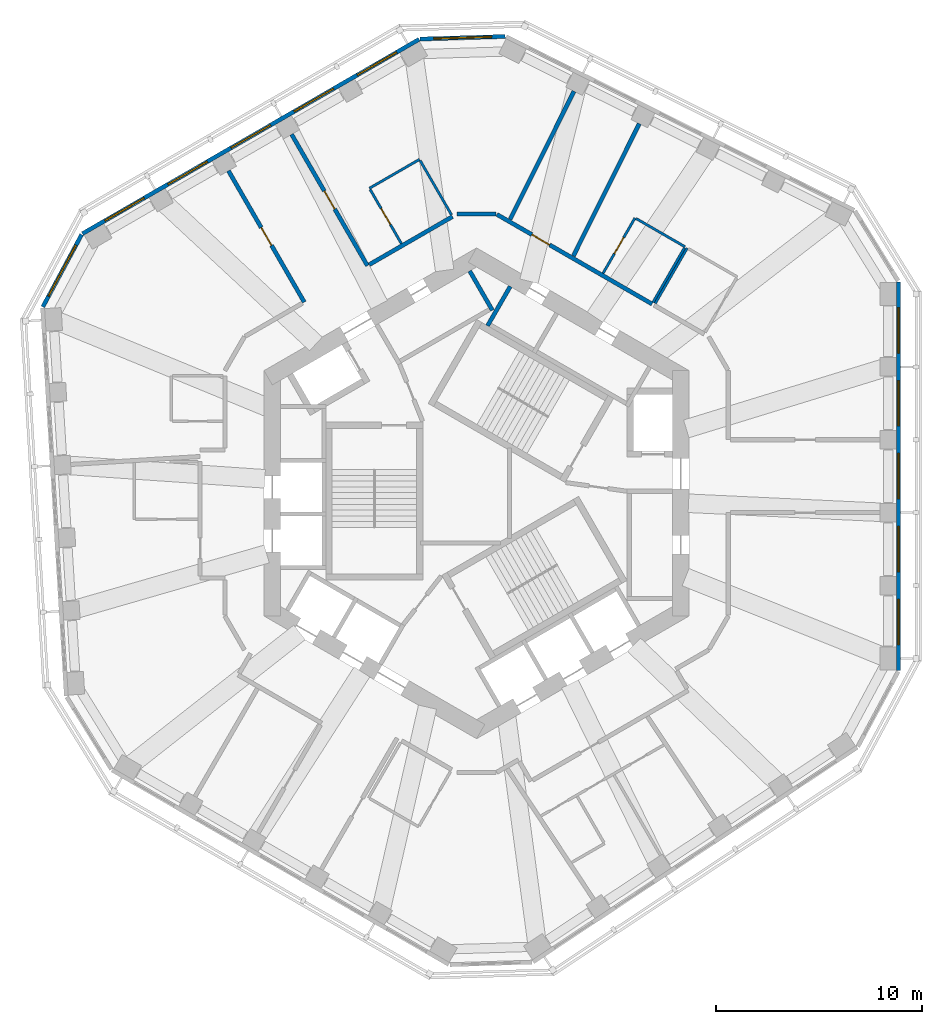
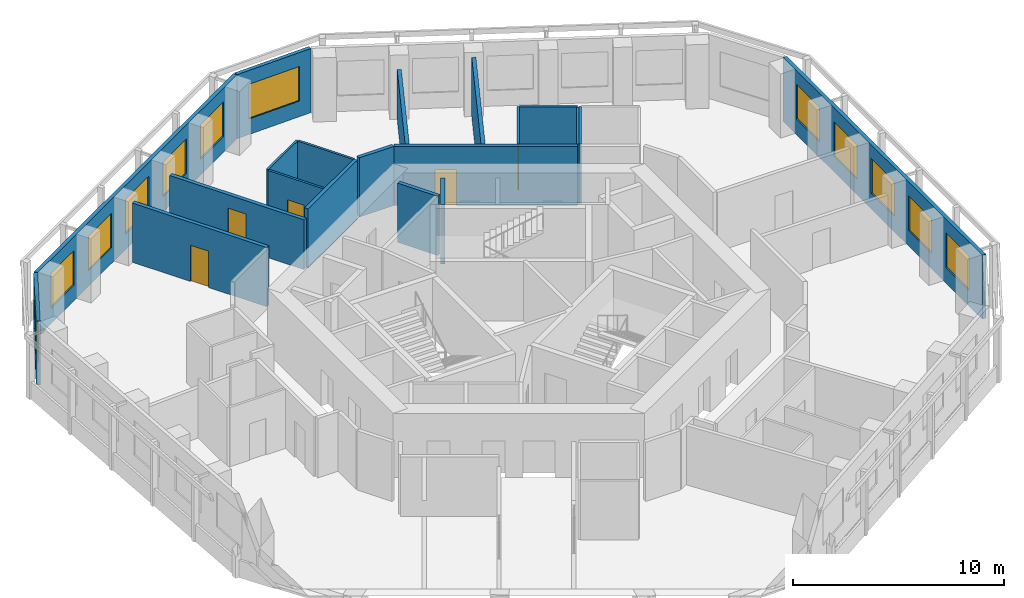
# One storey, part 7 of 11: 20 walls, 12 windows, 5 doors, 17 openings.
"""IFC4 building model written with IfcOpenShell, lengths in metres."""

from ifc_helpers import new_model, si_unit, direction, frame, frame_2d, origin, place, context, subcontext, project, spatial, rectangle, extrude, material, layer, layer_set, type_object, element, fill, save


model = new_model("IFC4")

# Units and contexts
model_context = context("Model", 3, precision=1e-05, world=origin(), true_north=direction((0.0, 1.0)))
body_context = subcontext(model_context, "Body", "Model", "MODEL_VIEW")
ifc_project = project(units=[si_unit("LENGTHUNIT", "METRE"), si_unit("AREAUNIT", "SQUARE_METRE"), si_unit("VOLUMEUNIT", "CUBIC_METRE"), si_unit("PLANEANGLEUNIT", "RADIAN"), si_unit("MASSUNIT", "GRAM", prefix="KILO")], contexts=[model_context])

# Site, building, storey
site_placement = place(None, origin())
site = spatial("IfcSite", under=ifc_project, at=site_placement, CompositionType="ELEMENT")
building_placement = place(site_placement, origin())
building = spatial("IfcBuilding", under=site, at=building_placement, Name="Vanh Sen Convention Tower", CompositionType="ELEMENT")
storey_placement = place(building_placement, frame((0.0, 0.0, 229.10009765625)))
storey = spatial("IfcBuildingStorey", under=building, at=storey_placement, Name="L56", CompositionType="ELEMENT", Elevation=229.10009765625)

# Wall
ifc_material_1 = material(Name="Moisture-resistant gypsum board on steel studs", Category="steel")
ifc_layer_1 = layer(ifc_material_1, 0.1201171875)
ifc_layer_set_1 = layer_set([ifc_layer_1], Name="Moisture-resistant gypsum board on steel studs")
wall_type_1 = type_object("IfcWallType", Name="Bathroom partition 120", PredefinedType="PARTITIONING", material=ifc_layer_set_1)
wall_1_placement = place(storey_placement, frame((-5.19140625, 14.78515625, 0.0), z_axis=(0.0, 0.0, 1.0), x_axis=(0.866034573852, 0.49998411664, 0.0)))
element("IfcWall", 1, at=wall_1_placement, inside=storey, type_object=wall_type_1, Name="Bathroom partition 120", PredefinedType="PARTITIONING", context=body_context, shape_type="SweptSolid", body=[
    extrude(rectangle(XDim=2.7998046875, YDim=0.1201171875, at=frame_2d((1.39990234375, 0.0))), origin(), (0.0, 0.0, 1.0), 3.419921875),
])

# Wall, opening, door
wall_2_placement = place(storey_placement, frame((-3.641357421875, 12.1005859375, 0.0), z_axis=(0.0, 0.0, 1.0), x_axis=(-0.500026023896, 0.86601037836, 0.0)))
wall_2 = element("IfcWall", 2, at=wall_2_placement, inside=storey, type_object=wall_type_1, Name="Bathroom partition 120", PredefinedType="PARTITIONING", context=body_context, shape_type="SweptSolid", body=[
    extrude(rectangle(XDim=3.039794921875, YDim=0.1201171875, at=frame_2d((1.52001953125, 0.0))), origin(), (0.0, 0.0, 1.0), 3.419921875),
])
opening_1_placement = place(wall_2_placement, frame((1.06982421875, 0.0, 0.0)))
opening_1 = element("IfcOpeningElement", 3, at=opening_1_placement, cuts=wall_2, Name="Opening D56106", PredefinedType="OPENING", context=body_context, shape_type="SweptSolid", body=[
    extrude(rectangle(XDim=0.89990234375, YDim=2.10009765625, at=frame_2d((0.449951171875, 1.050048828125))), frame((0.0, 0.070068359375, 0.0), z_axis=(0.0, -1.0, 0.0), x_axis=(1.0, 0.0, 0.0)), (0.0, 0.0, 1.0), 0.14013671875),
])
ifc_material_2 = material(Name="Laminate door in steel frame", Category="steel")
door_type_1 = type_object("IfcDoorType", Name="Room internal door 900", OperationType="SINGLE_SWING_LEFT", PredefinedType="DOOR", material=ifc_material_2)
door_1_placement = place(opening_1_placement, origin())
door_1 = element("IfcDoor", 4, at=door_1_placement, inside=storey, type_object=door_type_1, Name="Internal room door D56106", OperationType="SINGLE_SWING_LEFT", OverallHeight=2.10009765625, OverallWidth=0.89990234375, PredefinedType="DOOR", context=body_context, shape_type="SweptSolid", body=[
    extrude(rectangle(XDim=0.89990234375, YDim=2.10009765625, at=frame_2d((0.449951171875, 1.050048828125))), frame((0.0, 0.02490234375, 0.0), z_axis=(0.0, -1.0, 0.0), x_axis=(1.0, 0.0, 0.0)), (0.0, 0.0, 1.0), 0.050048828125),
])
fill(opening_1, door_1)

# Wall
wall_3_placement = place(storey_placement, frame((-2.736572265625, 16.133056640625, 0.0), z_axis=(0.0, 0.0, 1.0), x_axis=(0.500026023896, -0.86601037836, 0.0)))
element("IfcWall", 5, at=wall_3_placement, inside=storey, type_object=wall_type_1, Name="Bathroom partition 120", PredefinedType="PARTITIONING", context=body_context, shape_type="SweptSolid", body=[
    extrude(rectangle(XDim=3.039794921875, YDim=0.1201171875, at=frame_2d((1.52001953125, 0.0))), origin(), (0.0, 0.0, 1.0), 3.419921875),
])

# Wall, opening, door
wall_4_placement = place(storey_placement, frame((6.1298828125, 10.663818359375, 0.0), z_axis=(0.0, 0.0, 1.0), x_axis=(0.499967891604, 0.866043940782, 0.0)))
wall_4 = element("IfcWall", 6, at=wall_4_placement, inside=storey, type_object=wall_type_1, Name="Bathroom partition 120", PredefinedType="PARTITIONING", context=body_context, shape_type="SweptSolid", body=[
    extrude(rectangle(XDim=3.099853515625, YDim=0.1201171875, at=frame_2d((1.5498046875, 0.0))), origin(), (0.0, 0.0, 1.0), 3.419921875),
])
opening_2_placement = place(wall_4_placement, frame((1.10009765625, 0.0, 0.0)))
opening_2 = element("IfcOpeningElement", 7, at=opening_2_placement, cuts=wall_4, Name="Opening D56103", PredefinedType="OPENING", context=body_context, shape_type="SweptSolid", body=[
    extrude(rectangle(XDim=0.89990234375, YDim=2.10009765625, at=frame_2d((0.449951171875, 1.050048828125))), frame((0.0, 0.070068359375, 0.0), z_axis=(0.0, -1.0, 0.0), x_axis=(1.0, 0.0, 0.0)), (0.0, 0.0, 1.0), 0.14013671875),
])
door_2_placement = place(opening_2_placement, origin())
door_2 = element("IfcDoor", 8, at=door_2_placement, inside=storey, type_object=door_type_1, Name="Internal room door D56103", OperationType="SINGLE_SWING_LEFT", OverallHeight=2.10009765625, OverallWidth=0.89990234375, PredefinedType="DOOR", context=body_context, shape_type="SweptSolid", body=[
    extrude(rectangle(XDim=0.89990234375, YDim=2.10009765625, at=frame_2d((0.449951171875, 1.050048828125))), frame((0.0, 0.02490234375, 0.0), z_axis=(0.0, -1.0, 0.0), x_axis=(1.0, 0.0, 0.0)), (0.0, 0.0, 1.0), 0.050048828125),
])
fill(opening_2, door_2)

# Walls
wall_5_placement = place(storey_placement, frame((7.731689453125, 13.318359375, 0.0), z_axis=(0.0, 0.0, 1.0), x_axis=(0.866057988685, -0.499943557049, 0.0)))
element("IfcWall", 9, at=wall_5_placement, inside=storey, type_object=wall_type_1, Name="Bathroom partition 120", PredefinedType="PARTITIONING", context=body_context, shape_type="SweptSolid", body=[
    extrude(rectangle(XDim=2.739990234375, YDim=0.1201171875, at=frame_2d((1.3701171875, 0.0))), origin(), (0.0, 0.0, 1.0), 3.419921875),
])
wall_6_placement = place(storey_placement, frame((8.65869140625, 9.20361328125, 0.0), z_axis=(0.0, 0.0, 1.0), x_axis=(0.499933790963, 0.866063626216, 0.0)))
element("IfcWall", 10, at=wall_6_placement, inside=storey, type_object=wall_type_1, Name="Bathroom partition 120", PredefinedType="PARTITIONING", context=body_context, shape_type="SweptSolid", body=[
    extrude(rectangle(XDim=3.10009765625, YDim=0.1201171875, at=frame_2d((1.550048828125, 0.0))), origin(), (0.0, 0.0, 1.0), 3.419921875),
])
wall_7_placement = place(storey_placement, frame((10.07470703125, 11.896484375, 0.0), z_axis=(0.0, 0.0, 1.0), x_axis=(-0.499991248344, -0.866030456496, 0.0)))
element("IfcWall", 11, at=wall_7_placement, inside=storey, type_object=wall_type_1, Name="Bathroom partition 120", PredefinedType="PARTITIONING", context=body_context, shape_type="SweptSolid", body=[
    extrude(rectangle(XDim=3.0400390625, YDim=0.1201171875, at=frame_2d((1.52001953125, 0.0))), origin(), (0.0, 0.0, 1.0), 3.419921875),
])

# Wall, opening, door
ifc_material_3 = material(Name="Gypsum board on steel studs with mineral wool", Category="steel")
ifc_layer_2 = layer(ifc_material_3, 0.199951171875)
ifc_layer_set_2 = layer_set([ifc_layer_2], Name="Gypsum board on steel studs with mineral wool")
wall_type_2 = type_object("IfcWallType", Name="Corridor partition wall 200", PredefinedType="PARTITIONING", material=ifc_layer_set_2)
wall_8_placement = place(storey_placement, frame((-12.02490234375, 15.6318359375, 0.0), z_axis=(0.0, 0.0, 1.0), x_axis=(0.499983153418, -0.866035129944, 0.0)))
wall_8 = element("IfcWall", 12, at=wall_8_placement, inside=storey, type_object=wall_type_2, Name="Corridor partition wall 200", PredefinedType="PARTITIONING", context=body_context, shape_type="SweptSolid", body=[
    extrude(rectangle(XDim=7.349853515625, YDim=0.199951171875, at=frame_2d((3.6748046875, 0.0))), origin(), (0.0, 0.0, 1.0), 3.419921875),
])
opening_3_placement = place(wall_8_placement, frame((3.175048828125, 0.0, 0.0)))
opening_3 = element("IfcOpeningElement", 13, at=opening_3_placement, cuts=wall_8, Name="Opening D56107", PredefinedType="OPENING", context=body_context, shape_type="SweptSolid", body=[
    extrude(rectangle(XDim=1.0, YDim=2.10009765625, at=frame_2d((0.5, 1.050048828125))), frame((0.0, 0.10986328125, 0.0), z_axis=(0.0, -1.0, 0.0), x_axis=(1.0, 0.0, 0.0)), (0.0, 0.0, 1.0), 0.219970703125),
])
ifc_material_4 = material(Name="Glazed fire door in steel frame", Category="steel")
door_type_2 = type_object("IfcDoorType", Name="Tenant entrance door 1000", OperationType="SINGLE_SWING_LEFT", PredefinedType="DOOR", material=ifc_material_4)
door_3_placement = place(opening_3_placement, origin())
door_3 = element("IfcDoor", 14, at=door_3_placement, inside=storey, type_object=door_type_2, Name="Tenant suite entrance door D56107", OperationType="SINGLE_SWING_LEFT", OverallHeight=2.10009765625, OverallWidth=1.0, PredefinedType="DOOR", context=body_context, shape_type="SweptSolid", body=[
    extrude(rectangle(XDim=1.0, YDim=2.10009765625, at=frame_2d((0.5, 1.050048828125))), frame((0.0, 0.02490234375, 0.0), z_axis=(0.0, -1.0, 0.0), x_axis=(1.0, 0.0, 0.0)), (0.0, 0.0, 1.0), 0.050048828125),
])
fill(opening_3, door_3)

wall_9_placement = place(storey_placement, frame((-8.96484375, 17.398681640625, 0.0), z_axis=(0.0, 0.0, 1.0), x_axis=(0.499993683172, -0.866029050776, 0.0)))
wall_9 = element("IfcWall", 15, at=wall_9_placement, inside=storey, type_object=wall_type_2, Name="Corridor partition wall 200", PredefinedType="PARTITIONING", context=body_context, shape_type="SweptSolid", body=[
    extrude(rectangle(XDim=7.35009765625, YDim=0.199951171875, at=frame_2d((3.675048828125, 0.0))), origin(), (0.0, 0.0, 1.0), 2.869873046875),
])
opening_4_placement = place(wall_9_placement, frame((3.175048828125, 0.0, 0.0)))
opening_4 = element("IfcOpeningElement", 16, at=opening_4_placement, cuts=wall_9, Name="Opening D56105", PredefinedType="OPENING", context=body_context, shape_type="SweptSolid", body=[
    extrude(rectangle(XDim=1.0, YDim=2.10009765625, at=frame_2d((0.5, 1.050048828125))), frame((0.0, 0.10986328125, 0.0), z_axis=(0.0, -1.0, 0.0), x_axis=(1.0, 0.0, 0.0)), (0.0, 0.0, 1.0), 0.219970703125),
])
door_4_placement = place(opening_4_placement, origin())
door_4 = element("IfcDoor", 17, at=door_4_placement, inside=storey, type_object=door_type_2, Name="Tenant suite entrance door D56105", OperationType="SINGLE_SWING_LEFT", OverallHeight=2.10009765625, OverallWidth=1.0, PredefinedType="DOOR", context=body_context, shape_type="SweptSolid", body=[
    extrude(rectangle(XDim=1.0, YDim=2.10009765625, at=frame_2d((0.5, 1.050048828125))), frame((0.0, 0.02490234375, 0.0), z_axis=(0.0, -1.0, 0.0), x_axis=(1.0, 0.0, 0.0)), (0.0, 0.0, 1.0), 0.050048828125),
])
fill(opening_4, door_4)

# Walls
wall_10_placement = place(storey_placement, frame((-1.16650390625, 13.413818359375, 0.0), z_axis=(0.0, 0.0, 1.0), x_axis=(-0.866023347809, -0.500003561037, 0.0)))
element("IfcWall", 18, at=wall_10_placement, inside=storey, type_object=wall_type_2, Name="Corridor partition wall 200", PredefinedType="PARTITIONING", context=body_context, shape_type="SweptSolid", body=[
    extrude(rectangle(XDim=4.6611328125, YDim=0.199951171875, at=frame_2d((2.33056640625, 0.0))), origin(), (0.0, 0.0, 1.0), 3.419921875),
])
wall_11_placement = place(storey_placement, frame((0.949951171875, 13.538818359375, 0.0), z_axis=(0.0, 0.0, 1.0), x_axis=(-1.0, 0.0, 0.0)))
element("IfcWall", 19, at=wall_11_placement, inside=storey, type_object=wall_type_2, Name="Corridor partition wall 200", PredefinedType="PARTITIONING", context=body_context, shape_type="SweptSolid", body=[
    extrude(rectangle(XDim=1.89990234375, YDim=0.199951171875, at=frame_2d((0.949951171875, 0.0))), origin(), (0.0, 0.0, 1.0), 3.419921875),
])

# Wall, opening, door
wall_12_placement = place(storey_placement, frame((8.504638671875, 9.177001953125, 0.0), z_axis=(0.0, 0.0, 1.0), x_axis=(-0.866019839902, 0.500009636803, 0.0)))
wall_12 = element("IfcWall", 20, at=wall_12_placement, inside=storey, type_object=wall_type_2, Name="Corridor partition wall 200", PredefinedType="PARTITIONING", context=body_context, shape_type="SweptSolid", body=[
    extrude(rectangle(XDim=8.683349609375, YDim=0.199951171875, at=frame_2d((4.341796875, 0.0))), origin(), (0.0, 0.0, 1.0), 3.419921875),
])
opening_5_placement = place(wall_12_placement, frame((5.730224609375, 0.0, 0.0)))
opening_5 = element("IfcOpeningElement", 21, at=opening_5_placement, cuts=wall_12, Name="Opening D56104", PredefinedType="OPENING", context=body_context, shape_type="SweptSolid", body=[
    extrude(rectangle(XDim=1.0, YDim=2.10009765625, at=frame_2d((0.5, 1.050048828125))), frame((0.0, 0.10986328125, 0.0), z_axis=(0.0, -1.0, 0.0), x_axis=(1.0, 0.0, 0.0)), (0.0, 0.0, 1.0), 0.219970703125),
])
door_5_placement = place(opening_5_placement, origin())
door_5 = element("IfcDoor", 22, at=door_5_placement, inside=storey, type_object=door_type_2, Name="Tenant suite entrance door D56104", OperationType="SINGLE_SWING_LEFT", OverallHeight=2.10009765625, OverallWidth=1.0, PredefinedType="DOOR", context=body_context, shape_type="SweptSolid", body=[
    extrude(rectangle(XDim=1.0, YDim=2.10009765625, at=frame_2d((0.5, 1.050048828125))), frame((0.0, 0.02490234375, 0.0), z_axis=(0.0, -1.0, 0.0), x_axis=(1.0, 0.0, 0.0)), (0.0, 0.0, 1.0), 0.050048828125),
])
fill(opening_5, door_5)

# Wall, openings, windows
ifc_material_5 = material(Name="Insulated lightweight infill wall")
ifc_layer_3 = layer(ifc_material_5, 0.199951171875)
ifc_layer_set_3 = layer_set([ifc_layer_3], Name="Insulated lightweight infill wall")
wall_type_3 = type_object("IfcWallType", Name="External wall 200", PredefinedType="STANDARD", material=ifc_layer_set_3)
wall_13_placement = place(storey_placement, frame((20.449951171875, -8.590087890625, 0.0), z_axis=(0.0, 0.0, 1.0), x_axis=(0.0, 1.0, 0.0)))
wall_13 = element("IfcWall", 23, at=wall_13_placement, inside=storey, type_object=wall_type_3, Name="External wall E L56", PredefinedType="STANDARD", context=body_context, shape_type="SweptSolid", body=[
    extrude(rectangle(XDim=18.84130859375, YDim=0.199951171875, at=frame_2d((9.420654296875, 0.0))), origin(), (0.0, 0.0, 1.0), 3.699951171875),
])
opening_6_placement = place(wall_13_placement, frame((1.254150390625, 0.0, 0.89990234375)))
opening_6 = element("IfcOpeningElement", 24, at=opening_6_placement, cuts=wall_13, Name="Opening WO3-E1", PredefinedType="OPENING", context=body_context, shape_type="SweptSolid", body=[
    extrude(rectangle(XDim=2.199951171875, YDim=2.0, at=frame_2d((1.10009765625, 1.0))), frame((0.0, 0.10986328125, 0.0), z_axis=(0.0, -1.0, 0.0), x_axis=(1.0, 0.0, 0.0)), (0.0, 0.0, 1.0), 0.219970703125),
])
opening_7_placement = place(wall_13_placement, frame((4.787841796875, 0.0, 0.89990234375)))
opening_7 = element("IfcOpeningElement", 25, at=opening_7_placement, cuts=wall_13, Name="Opening WO3-E2", PredefinedType="OPENING", context=body_context, shape_type="SweptSolid", body=[
    extrude(rectangle(XDim=2.199951171875, YDim=2.0, at=frame_2d((1.10009765625, 1.0))), frame((0.0, 0.10986328125, 0.0), z_axis=(0.0, -1.0, 0.0), x_axis=(1.0, 0.0, 0.0)), (0.0, 0.0, 1.0), 0.219970703125),
])
opening_8_placement = place(wall_13_placement, frame((8.321533203125, 0.0, 0.89990234375)))
opening_8 = element("IfcOpeningElement", 26, at=opening_8_placement, cuts=wall_13, Name="Opening WO3-E3", PredefinedType="OPENING", context=body_context, shape_type="SweptSolid", body=[
    extrude(rectangle(XDim=2.199951171875, YDim=2.0, at=frame_2d((1.10009765625, 1.0))), frame((0.0, 0.10986328125, 0.0), z_axis=(0.0, -1.0, 0.0), x_axis=(1.0, 0.0, 0.0)), (0.0, 0.0, 1.0), 0.219970703125),
])
opening_9_placement = place(wall_13_placement, frame((11.85498046875, 0.0, 0.89990234375)))
opening_9 = element("IfcOpeningElement", 27, at=opening_9_placement, cuts=wall_13, Name="Opening WO3-E4", PredefinedType="OPENING", context=body_context, shape_type="SweptSolid", body=[
    extrude(rectangle(XDim=2.199951171875, YDim=2.0, at=frame_2d((1.10009765625, 1.0))), frame((0.0, 0.10986328125, 0.0), z_axis=(0.0, -1.0, 0.0), x_axis=(1.0, 0.0, 0.0)), (0.0, 0.0, 1.0), 0.219970703125),
])
opening_10_placement = place(wall_13_placement, frame((15.388671875, 0.0, 0.89990234375)))
opening_10 = element("IfcOpeningElement", 28, at=opening_10_placement, cuts=wall_13, Name="Opening WO3-E5", PredefinedType="OPENING", context=body_context, shape_type="SweptSolid", body=[
    extrude(rectangle(XDim=2.199951171875, YDim=2.0, at=frame_2d((1.10009765625, 1.0))), frame((0.0, 0.10986328125, 0.0), z_axis=(0.0, -1.0, 0.0), x_axis=(1.0, 0.0, 0.0)), (0.0, 0.0, 1.0), 0.219970703125),
])
ifc_material_6 = material(Name="Aluminium frame with clear low-emissivity glass", Category="aluminium")
window_type_1 = type_object("IfcWindowType", Name="Office window 2200 x 2000", PartitioningType="SINGLE_PANEL", PredefinedType="WINDOW", material=ifc_material_6)
window_1_placement = place(opening_6_placement, origin())
window_1 = element("IfcWindow", 29, at=window_1_placement, inside=storey, type_object=window_type_1, Name="Window WO3-E1", OverallHeight=2.0, OverallWidth=2.199951171875, PartitioningType="SINGLE_PANEL", PredefinedType="WINDOW", context=body_context, shape_type="SweptSolid", body=[
    extrude(rectangle(XDim=2.199951171875, YDim=2.0, at=frame_2d((1.10009765625, 1.0))), frame((0.0, 0.030029296875, 0.0), z_axis=(0.0, -1.0, 0.0), x_axis=(1.0, 0.0, 0.0)), (0.0, 0.0, 1.0), 0.06005859375),
])
fill(opening_6, window_1)
window_2_placement = place(opening_7_placement, origin())
window_2 = element("IfcWindow", 30, at=window_2_placement, inside=storey, type_object=window_type_1, Name="Window WO3-E2", OverallHeight=2.0, OverallWidth=2.199951171875, PartitioningType="SINGLE_PANEL", PredefinedType="WINDOW", context=body_context, shape_type="SweptSolid", body=[
    extrude(rectangle(XDim=2.199951171875, YDim=2.0, at=frame_2d((1.10009765625, 1.0))), frame((0.0, 0.030029296875, 0.0), z_axis=(0.0, -1.0, 0.0), x_axis=(1.0, 0.0, 0.0)), (0.0, 0.0, 1.0), 0.06005859375),
])
fill(opening_7, window_2)
window_3_placement = place(opening_8_placement, origin())
window_3 = element("IfcWindow", 31, at=window_3_placement, inside=storey, type_object=window_type_1, Name="Window WO3-E3", OverallHeight=2.0, OverallWidth=2.199951171875, PartitioningType="SINGLE_PANEL", PredefinedType="WINDOW", context=body_context, shape_type="SweptSolid", body=[
    extrude(rectangle(XDim=2.199951171875, YDim=2.0, at=frame_2d((1.10009765625, 1.0))), frame((0.0, 0.030029296875, 0.0), z_axis=(0.0, -1.0, 0.0), x_axis=(1.0, 0.0, 0.0)), (0.0, 0.0, 1.0), 0.06005859375),
])
fill(opening_8, window_3)
window_4_placement = place(opening_9_placement, origin())
window_4 = element("IfcWindow", 32, at=window_4_placement, inside=storey, type_object=window_type_1, Name="Window WO3-E4", OverallHeight=2.0, OverallWidth=2.199951171875, PartitioningType="SINGLE_PANEL", PredefinedType="WINDOW", context=body_context, shape_type="SweptSolid", body=[
    extrude(rectangle(XDim=2.199951171875, YDim=2.0, at=frame_2d((1.10009765625, 1.0))), frame((0.0, 0.030029296875, 0.0), z_axis=(0.0, -1.0, 0.0), x_axis=(1.0, 0.0, 0.0)), (0.0, 0.0, 1.0), 0.06005859375),
])
fill(opening_9, window_4)
window_5_placement = place(opening_10_placement, origin())
window_5 = element("IfcWindow", 33, at=window_5_placement, inside=storey, type_object=window_type_1, Name="Window WO3-E5", OverallHeight=2.0, OverallWidth=2.199951171875, PartitioningType="SINGLE_PANEL", PredefinedType="WINDOW", context=body_context, shape_type="SweptSolid", body=[
    extrude(rectangle(XDim=2.199951171875, YDim=2.0, at=frame_2d((1.10009765625, 1.0))), frame((0.0, 0.030029296875, 0.0), z_axis=(0.0, -1.0, 0.0), x_axis=(1.0, 0.0, 0.0)), (0.0, 0.0, 1.0), 0.06005859375),
])
fill(opening_10, window_5)

# Wall, opening, window
wall_14_placement = place(storey_placement, frame((1.389404296875, 22.144775390625, 0.0), z_axis=(0.0, 0.0, 1.0), x_axis=(-0.999534702881, -0.030502093955, 0.0)))
wall_14 = element("IfcWall", 34, at=wall_14_placement, inside=storey, type_object=wall_type_3, Name="External wall CH2 L56", PredefinedType="STANDARD", context=body_context, shape_type="SweptSolid", body=[
    extrude(rectangle(XDim=4.130126953125, YDim=0.199951171875, at=frame_2d((2.06494140625, 0.0))), origin(), (0.0, 0.0, 1.0), 3.699951171875),
])
opening_11_placement = place(wall_14_placement, frame((0.6650390625, 0.0, 0.89990234375)))
opening_11 = element("IfcOpeningElement", 35, at=opening_11_placement, cuts=wall_14, Name="Opening WO4-CH21", PredefinedType="OPENING", context=body_context, shape_type="SweptSolid", body=[
    extrude(rectangle(XDim=2.800048828125, YDim=2.0, at=frame_2d((1.39990234375, 1.0))), frame((0.0, 0.10986328125, 0.0), z_axis=(0.0, -1.0, 0.0), x_axis=(1.0, 0.0, 0.0)), (0.0, 0.0, 1.0), 0.219970703125),
])
window_type_2 = type_object("IfcWindowType", Name="Office window 2800 x 2000", PartitioningType="SINGLE_PANEL", PredefinedType="WINDOW", material=ifc_material_6)
window_6_placement = place(opening_11_placement, origin())
window_6 = element("IfcWindow", 36, at=window_6_placement, inside=storey, type_object=window_type_2, Name="Window WO4-CH21", OverallHeight=2.0, OverallWidth=2.800048828125, PartitioningType="SINGLE_PANEL", PredefinedType="WINDOW", context=body_context, shape_type="SweptSolid", body=[
    extrude(rectangle(XDim=2.800048828125, YDim=2.0, at=frame_2d((1.39990234375, 1.0))), frame((0.0, 0.030029296875, 0.0), z_axis=(0.0, -1.0, 0.0), x_axis=(1.0, 0.0, 0.0)), (0.0, 0.0, 1.0), 0.06005859375),
])
fill(opening_11, window_6)

# Wall, openings, windows
wall_15_placement = place(storey_placement, frame((-2.78564453125, 22.00537109375, 0.0), z_axis=(0.0, 0.0, 1.0), x_axis=(-0.866026555358, -0.49999800541, 0.0)))
wall_15 = element("IfcWall", 37, at=wall_15_placement, inside=storey, type_object=wall_type_3, Name="External wall NW L56", PredefinedType="STANDARD", context=body_context, shape_type="SweptSolid", body=[
    extrude(rectangle(XDim=18.84130859375, YDim=0.199951171875, at=frame_2d((9.420654296875, 0.0))), origin(), (0.0, 0.0, 1.0), 3.699951171875),
])
opening_12_placement = place(wall_15_placement, frame((1.254150390625, 0.0, 0.89990234375)))
opening_12 = element("IfcOpeningElement", 38, at=opening_12_placement, cuts=wall_15, Name="Opening WO3-NW1", PredefinedType="OPENING", context=body_context, shape_type="SweptSolid", body=[
    extrude(rectangle(XDim=2.199951171875, YDim=2.0, at=frame_2d((1.10009765625, 1.0))), frame((0.0, 0.10986328125, 0.0), z_axis=(0.0, -1.0, 0.0), x_axis=(1.0, 0.0, 0.0)), (0.0, 0.0, 1.0), 0.219970703125),
])
opening_13_placement = place(wall_15_placement, frame((4.787841796875, 0.0, 0.89990234375)))
opening_13 = element("IfcOpeningElement", 39, at=opening_13_placement, cuts=wall_15, Name="Opening WO3-NW2", PredefinedType="OPENING", context=body_context, shape_type="SweptSolid", body=[
    extrude(rectangle(XDim=2.199951171875, YDim=2.0, at=frame_2d((1.10009765625, 1.0))), frame((0.0, 0.10986328125, 0.0), z_axis=(0.0, -1.0, 0.0), x_axis=(1.0, 0.0, 0.0)), (0.0, 0.0, 1.0), 0.219970703125),
])
opening_14_placement = place(wall_15_placement, frame((8.3212890625, 0.0, 0.89990234375)))
opening_14 = element("IfcOpeningElement", 40, at=opening_14_placement, cuts=wall_15, Name="Opening WO3-NW3", PredefinedType="OPENING", context=body_context, shape_type="SweptSolid", body=[
    extrude(rectangle(XDim=2.199951171875, YDim=2.0, at=frame_2d((1.10009765625, 1.0))), frame((0.0, 0.10986328125, 0.0), z_axis=(0.0, -1.0, 0.0), x_axis=(1.0, 0.0, 0.0)), (0.0, 0.0, 1.0), 0.219970703125),
])
opening_15_placement = place(wall_15_placement, frame((11.85498046875, 0.0, 0.89990234375)))
opening_15 = element("IfcOpeningElement", 41, at=opening_15_placement, cuts=wall_15, Name="Opening WO3-NW4", PredefinedType="OPENING", context=body_context, shape_type="SweptSolid", body=[
    extrude(rectangle(XDim=2.199951171875, YDim=2.0, at=frame_2d((1.10009765625, 1.0))), frame((0.0, 0.10986328125, 0.0), z_axis=(0.0, -1.0, 0.0), x_axis=(1.0, 0.0, 0.0)), (0.0, 0.0, 1.0), 0.219970703125),
])
opening_16_placement = place(wall_15_placement, frame((15.388671875, 0.0, 0.89990234375)))
opening_16 = element("IfcOpeningElement", 42, at=opening_16_placement, cuts=wall_15, Name="Opening WO3-NW5", PredefinedType="OPENING", context=body_context, shape_type="SweptSolid", body=[
    extrude(rectangle(XDim=2.199951171875, YDim=2.0, at=frame_2d((1.10009765625, 1.0))), frame((0.0, 0.10986328125, 0.0), z_axis=(0.0, -1.0, 0.0), x_axis=(1.0, 0.0, 0.0)), (0.0, 0.0, 1.0), 0.219970703125),
])
window_7_placement = place(opening_12_placement, origin())
window_7 = element("IfcWindow", 43, at=window_7_placement, inside=storey, type_object=window_type_1, Name="Window WO3-NW1", OverallHeight=2.0, OverallWidth=2.199951171875, PartitioningType="SINGLE_PANEL", PredefinedType="WINDOW", context=body_context, shape_type="SweptSolid", body=[
    extrude(rectangle(XDim=2.199951171875, YDim=2.0, at=frame_2d((1.10009765625, 1.0))), frame((0.0, 0.030029296875, 0.0), z_axis=(0.0, -1.0, 0.0), x_axis=(1.0, 0.0, 0.0)), (0.0, 0.0, 1.0), 0.06005859375),
])
fill(opening_12, window_7)
window_8_placement = place(opening_13_placement, origin())
window_8 = element("IfcWindow", 44, at=window_8_placement, inside=storey, type_object=window_type_1, Name="Window WO3-NW2", OverallHeight=2.0, OverallWidth=2.199951171875, PartitioningType="SINGLE_PANEL", PredefinedType="WINDOW", context=body_context, shape_type="SweptSolid", body=[
    extrude(rectangle(XDim=2.199951171875, YDim=2.0, at=frame_2d((1.10009765625, 1.0))), frame((0.0, 0.030029296875, 0.0), z_axis=(0.0, -1.0, 0.0), x_axis=(1.0, 0.0, 0.0)), (0.0, 0.0, 1.0), 0.06005859375),
])
fill(opening_13, window_8)
window_9_placement = place(opening_14_placement, origin())
window_9 = element("IfcWindow", 45, at=window_9_placement, inside=storey, type_object=window_type_1, Name="Window WO3-NW3", OverallHeight=2.0, OverallWidth=2.199951171875, PartitioningType="SINGLE_PANEL", PredefinedType="WINDOW", context=body_context, shape_type="SweptSolid", body=[
    extrude(rectangle(XDim=2.199951171875, YDim=2.0, at=frame_2d((1.10009765625, 1.0))), frame((0.0, 0.030029296875, 0.0), z_axis=(0.0, -1.0, 0.0), x_axis=(1.0, 0.0, 0.0)), (0.0, 0.0, 1.0), 0.06005859375),
])
fill(opening_14, window_9)
window_10_placement = place(opening_15_placement, origin())
window_10 = element("IfcWindow", 46, at=window_10_placement, inside=storey, type_object=window_type_1, Name="Window WO3-NW4", OverallHeight=2.0, OverallWidth=2.199951171875, PartitioningType="SINGLE_PANEL", PredefinedType="WINDOW", context=body_context, shape_type="SweptSolid", body=[
    extrude(rectangle(XDim=2.199951171875, YDim=2.0, at=frame_2d((1.10009765625, 1.0))), frame((0.0, 0.030029296875, 0.0), z_axis=(0.0, -1.0, 0.0), x_axis=(1.0, 0.0, 0.0)), (0.0, 0.0, 1.0), 0.06005859375),
])
fill(opening_15, window_10)
window_11_placement = place(opening_16_placement, origin())
window_11 = element("IfcWindow", 47, at=window_11_placement, inside=storey, type_object=window_type_1, Name="Window WO3-NW5", OverallHeight=2.0, OverallWidth=2.199951171875, PartitioningType="SINGLE_PANEL", PredefinedType="WINDOW", context=body_context, shape_type="SweptSolid", body=[
    extrude(rectangle(XDim=2.199951171875, YDim=2.0, at=frame_2d((1.10009765625, 1.0))), frame((0.0, 0.030029296875, 0.0), z_axis=(0.0, -1.0, 0.0), x_axis=(1.0, 0.0, 0.0)), (0.0, 0.0, 1.0), 0.06005859375),
])
fill(opening_16, window_11)

# Wall, opening, window
wall_16_placement = place(storey_placement, frame((-19.140869140625, 12.54541015625, 0.0), z_axis=(0.0, 0.0, 1.0), x_axis=(-0.473306370921, -0.880897882416, 0.0)))
wall_16 = element("IfcWall", 48, at=wall_16_placement, inside=storey, type_object=wall_type_3, Name="External wall CH3 L56", PredefinedType="STANDARD", context=body_context, shape_type="SweptSolid", body=[
    extrude(rectangle(XDim=3.982666015625, YDim=0.199951171875, at=frame_2d((1.9912109375, 0.0))), origin(), (0.0, 0.0, 1.0), 3.699951171875),
])
opening_17_placement = place(wall_16_placement, frame((0.59130859375, 0.0, 0.89990234375)))
opening_17 = element("IfcOpeningElement", 49, at=opening_17_placement, cuts=wall_16, Name="Opening WO4-CH31", PredefinedType="OPENING", context=body_context, shape_type="SweptSolid", body=[
    extrude(rectangle(XDim=2.800048828125, YDim=2.0, at=frame_2d((1.39990234375, 1.0))), frame((0.0, 0.10986328125, 0.0), z_axis=(0.0, -1.0, 0.0), x_axis=(1.0, 0.0, 0.0)), (0.0, 0.0, 1.0), 0.219970703125),
])
window_12_placement = place(opening_17_placement, origin())
window_12 = element("IfcWindow", 50, at=window_12_placement, inside=storey, type_object=window_type_2, Name="Window WO4-CH31", OverallHeight=2.0, OverallWidth=2.800048828125, PartitioningType="SINGLE_PANEL", PredefinedType="WINDOW", context=body_context, shape_type="SweptSolid", body=[
    extrude(rectangle(XDim=2.800048828125, YDim=2.0, at=frame_2d((1.39990234375, 1.0))), frame((0.0, 0.030029296875, 0.0), z_axis=(0.0, -1.0, 0.0), x_axis=(1.0, 0.0, 0.0)), (0.0, 0.0, 1.0), 0.06005859375),
])
fill(opening_17, window_12)

# Walls
ifc_material_7 = material(Name="Concrete C40/50", Category="concrete")
ifc_layer_4 = layer(ifc_material_7, 0.199951171875)
ifc_layer_set_4 = layer_set([ifc_layer_4], Name="Concrete C40/50")
wall_type_4 = type_object("IfcWallType", Name="Lift shaft wall 200", PredefinedType="PARTITIONING", material=ifc_layer_set_4)
wall_17_placement = place(storey_placement, frame((0.5322265625, 8.1220703125, 0.0), z_axis=(0.0, 0.0, 1.0), x_axis=(0.500077893725, 0.86598042715, 0.0)))
element("IfcWall", 51, at=wall_17_placement, inside=storey, type_object=wall_type_4, Name="Lift shaft wall L56", PredefinedType="PARTITIONING", context=body_context, shape_type="SweptSolid", body=[
    extrude(rectangle(XDim=2.199951171875, YDim=0.199951171875, at=frame_2d((1.10009765625, 0.0))), origin(), (0.0, 0.0, 1.0), 3.419921875),
])
wall_18_placement = place(storey_placement, frame((0.7666015625, 8.8720703125, 0.0), z_axis=(0.0, 0.0, 1.0), x_axis=(-0.499994660107, 0.866028486751, 0.0)))
element("IfcWall", 52, at=wall_18_placement, inside=storey, type_object=wall_type_4, Name="Lift shaft wall L56", PredefinedType="PARTITIONING", context=body_context, shape_type="SweptSolid", body=[
    extrude(rectangle(XDim=2.19970703125, YDim=0.199951171875, at=frame_2d((1.099853515625, 0.0))), origin(), (0.0, 0.0, 1.0), 3.419921875),
])
ifc_layer_5 = layer(ifc_material_3, 0.199951171875)
ifc_layer_set_5 = layer_set([ifc_layer_5], Name="Gypsum board on steel studs with mineral wool")
wall_type_5 = type_object("IfcWallType", Name="Tenant suite wall 200", PredefinedType="PARTITIONING", material=ifc_layer_set_5)
wall_19_placement = place(storey_placement, frame((4.723388671875, 19.489990234375, 0.0), z_axis=(0.0, 0.0, 1.0), x_axis=(-0.446186614574, -0.894939944898, 0.0)))
element("IfcWall", 53, at=wall_19_placement, inside=storey, type_object=wall_type_5, Name="Tenant suite wall 200", PredefinedType="PARTITIONING", context=body_context, shape_type="SweptSolid", body=[
    extrude(rectangle(XDim=6.943603515625, YDim=0.199951171875, at=frame_2d((3.4716796875, 0.0))), origin(), (0.0, 0.0, 1.0), 2.869873046875),
])
wall_20_placement = place(storey_placement, frame((7.885986328125, 17.913330078125, 0.0), z_axis=(0.0, 0.0, 1.0), x_axis=(-0.446204015428, -0.894931269213, 0.0)))
element("IfcWall", 54, at=wall_20_placement, inside=storey, type_object=wall_type_5, Name="Tenant suite wall 200", PredefinedType="PARTITIONING", context=body_context, shape_type="SweptSolid", body=[
    extrude(rectangle(XDim=7.159912109375, YDim=0.199951171875, at=frame_2d((3.580078125, 0.0))), origin(), (0.0, 0.0, 1.0), 3.419921875),
])

save(model, "model.ifc")
